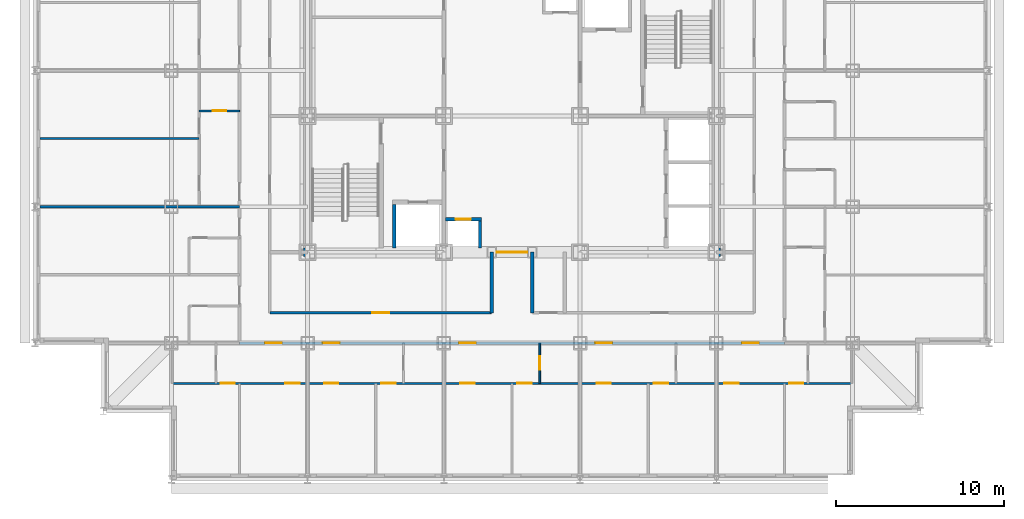
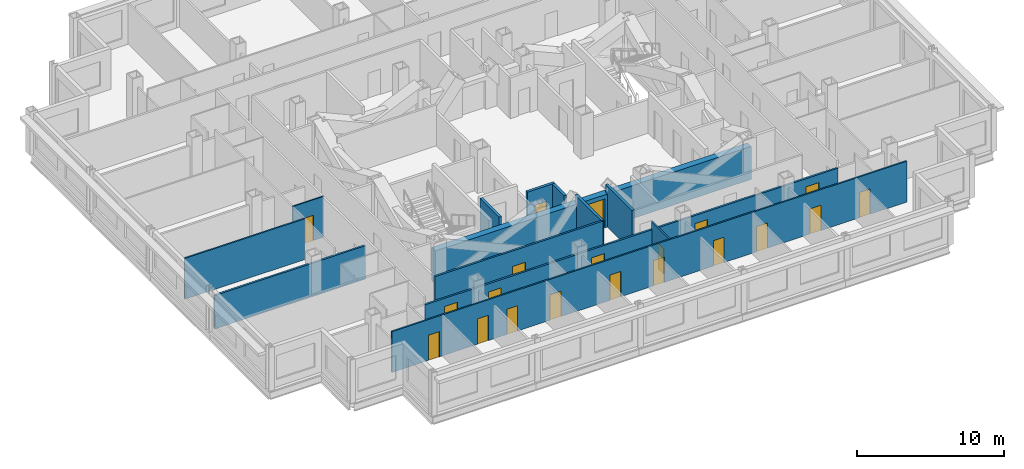
# One storey, part 5 of 12: 20 doors, 13 walls, 20 openings.
"""IFC4 building model written with IfcOpenShell, lengths in metres."""

from ifc_helpers import new_model, si_unit, direction, frame, frame_2d, origin, place, context, subcontext, project, spatial, rectangle, extrude, material, layer, layer_set, type_object, element, fill, save


model = new_model("IFC4")

# Units and contexts
model_context = context("Model", 3, precision=1e-05, world=origin(), true_north=direction((0.0, 1.0)))
body_context = subcontext(model_context, "Body", "Model", "MODEL_VIEW")
ifc_project = project(units=[si_unit("LENGTHUNIT", "METRE"), si_unit("AREAUNIT", "SQUARE_METRE"), si_unit("VOLUMEUNIT", "CUBIC_METRE"), si_unit("PLANEANGLEUNIT", "RADIAN"), si_unit("MASSUNIT", "GRAM", prefix="KILO")], contexts=[model_context])

# Site, building, storey
site_placement = place(None, origin())
site = spatial("IfcSite", under=ifc_project, at=site_placement, CompositionType="ELEMENT")
building_placement = place(site_placement, origin())
building = spatial("IfcBuilding", under=site, at=building_placement, Name="Kopane Lantern Tower", CompositionType="ELEMENT")
storey_placement = place(building_placement, frame((0.0, 0.0, 181.199951171875)))
storey = spatial("IfcBuildingStorey", under=building, at=storey_placement, Name="L46", CompositionType="ELEMENT", Elevation=181.199951171875)

# Wall
ifc_material_1 = material(Name="Gypsum board on steel studs", Category="steel")
ifc_layer_1 = layer(ifc_material_1, 0.1201171875)
ifc_layer_set_1 = layer_set([ifc_layer_1], Name="APARTMENT INTERNAL WALL 120")
wall_type_1 = type_object("IfcWallType", Name="APARTMENT INTERNAL WALL 120", PredefinedType="PARTITIONING", material=ifc_layer_set_1)
wall_1_placement = place(storey_placement, frame((9.75, 31.050048828125, 0.0), z_axis=(0.0, 0.0, 1.0), x_axis=(-1.0, 0.0, 0.0)))
element("IfcWall", 1, at=wall_1_placement, inside=storey, type_object=wall_type_1, Name="Apartment Internal Wall 120 L46", PredefinedType="PARTITIONING", context=body_context, shape_type="SweptSolid", body=[
    extrude(rectangle(XDim=9.449951171875, YDim=0.1201171875, at=frame_2d((4.72509765625, 0.0))), origin(), (0.0, 0.0, 1.0), 3.39013671875),
])

# Wall, openings, doors
wall_2_placement = place(storey_placement, frame((8.14990234375, 16.5, 0.0), z_axis=(0.0, 0.0, 1.0), x_axis=(1.0, 0.0, 0.0)))
wall_2 = element("IfcWall", 2, at=wall_2_placement, inside=storey, type_object=wall_type_1, Name="Apartment Internal Wall 120 L46", PredefinedType="PARTITIONING", context=body_context, shape_type="SweptSolid", body=[
    extrude(rectangle(XDim=40.400146484375, YDim=0.1201171875, at=frame_2d((20.2001953125, 0.0))), origin(), (0.0, 0.0, 1.0), 3.39013671875),
])
opening_1_placement = place(wall_2_placement, frame((9.02490234375, 0.0, 0.0)))
opening_1 = element("IfcOpeningElement", 3, at=opening_1_placement, cuts=wall_2, Name="Opening L46-014", PredefinedType="OPENING", context=body_context, shape_type="SweptSolid", body=[
    extrude(rectangle(XDim=0.85009765625, YDim=2.10009765625, at=frame_2d((0.425048828125, 1.050048828125))), frame((0.0, 0.070068359375, 0.0), z_axis=(0.0, -1.0, 0.0), x_axis=(1.0, 0.0, 0.0)), (0.0, 0.0, 1.0), 0.14013671875),
])
opening_2_placement = place(wall_2_placement, frame((12.425048828125, 0.0, 0.0)))
opening_2 = element("IfcOpeningElement", 4, at=opening_2_placement, cuts=wall_2, Name="Opening L46-015", PredefinedType="OPENING", context=body_context, shape_type="SweptSolid", body=[
    extrude(rectangle(XDim=0.85009765625, YDim=2.10009765625, at=frame_2d((0.425048828125, 1.050048828125))), frame((0.0, 0.070068359375, 0.0), z_axis=(0.0, -1.0, 0.0), x_axis=(1.0, 0.0, 0.0)), (0.0, 0.0, 1.0), 0.14013671875),
])
opening_3_placement = place(wall_2_placement, frame((17.125, 0.0, 0.0)))
opening_3 = element("IfcOpeningElement", 5, at=opening_3_placement, cuts=wall_2, Name="Opening L46-018", PredefinedType="OPENING", context=body_context, shape_type="SweptSolid", body=[
    extrude(rectangle(XDim=0.85009765625, YDim=2.10009765625, at=frame_2d((0.425048828125, 1.050048828125))), frame((0.0, 0.070068359375, 0.0), z_axis=(0.0, -1.0, 0.0), x_axis=(1.0, 0.0, 0.0)), (0.0, 0.0, 1.0), 0.14013671875),
])
opening_4_placement = place(wall_2_placement, frame((20.52490234375, 0.0, 0.0)))
opening_4 = element("IfcOpeningElement", 6, at=opening_4_placement, cuts=wall_2, Name="Opening L46-019", PredefinedType="OPENING", context=body_context, shape_type="SweptSolid", body=[
    extrude(rectangle(XDim=0.85009765625, YDim=2.10009765625, at=frame_2d((0.425048828125, 1.050048828125))), frame((0.0, 0.070068359375, 0.0), z_axis=(0.0, -1.0, 0.0), x_axis=(1.0, 0.0, 0.0)), (0.0, 0.0, 1.0), 0.14013671875),
])
opening_5_placement = place(wall_2_placement, frame((25.22509765625, 0.0, 0.0)))
opening_5 = element("IfcOpeningElement", 7, at=opening_5_placement, cuts=wall_2, Name="Opening L46-022", PredefinedType="OPENING", context=body_context, shape_type="SweptSolid", body=[
    extrude(rectangle(XDim=0.85009765625, YDim=2.10009765625, at=frame_2d((0.425048828125, 1.050048828125))), frame((0.0, 0.070068359375, 0.0), z_axis=(0.0, -1.0, 0.0), x_axis=(1.0, 0.0, 0.0)), (0.0, 0.0, 1.0), 0.14013671875),
])
opening_6_placement = place(wall_2_placement, frame((28.625, 0.0, 0.0)))
opening_6 = element("IfcOpeningElement", 8, at=opening_6_placement, cuts=wall_2, Name="Opening L46-023", PredefinedType="OPENING", context=body_context, shape_type="SweptSolid", body=[
    extrude(rectangle(XDim=0.85009765625, YDim=2.10009765625, at=frame_2d((0.425048828125, 1.050048828125))), frame((0.0, 0.070068359375, 0.0), z_axis=(0.0, -1.0, 0.0), x_axis=(1.0, 0.0, 0.0)), (0.0, 0.0, 1.0), 0.14013671875),
])
opening_7_placement = place(wall_2_placement, frame((6.72509765625, 0.0, 0.0)))
opening_7 = element("IfcOpeningElement", 9, at=opening_7_placement, cuts=wall_2, Name="Opening L46-061", PredefinedType="OPENING", context=body_context, shape_type="SweptSolid", body=[
    extrude(rectangle(XDim=0.85009765625, YDim=2.10009765625, at=frame_2d((0.425048828125, 1.050048828125))), frame((0.0, 0.070068359375, 0.0), z_axis=(0.0, -1.0, 0.0), x_axis=(1.0, 0.0, 0.0)), (0.0, 0.0, 1.0), 0.14013671875),
])
opening_8_placement = place(wall_2_placement, frame((2.875, 0.0, 0.0)))
opening_8 = element("IfcOpeningElement", 10, at=opening_8_placement, cuts=wall_2, Name="Opening L46-063", PredefinedType="OPENING", context=body_context, shape_type="SweptSolid", body=[
    extrude(rectangle(XDim=0.85009765625, YDim=2.10009765625, at=frame_2d((0.425048828125, 1.050048828125))), frame((0.0, 0.070068359375, 0.0), z_axis=(0.0, -1.0, 0.0), x_axis=(1.0, 0.0, 0.0)), (0.0, 0.0, 1.0), 0.14013671875),
])
opening_9_placement = place(wall_2_placement, frame((32.824951171875, 0.0, 0.0)))
opening_9 = element("IfcOpeningElement", 11, at=opening_9_placement, cuts=wall_2, Name="Opening L46-065", PredefinedType="OPENING", context=body_context, shape_type="SweptSolid", body=[
    extrude(rectangle(XDim=0.85009765625, YDim=2.10009765625, at=frame_2d((0.425048828125, 1.050048828125))), frame((0.0, 0.070068359375, 0.0), z_axis=(0.0, -1.0, 0.0), x_axis=(1.0, 0.0, 0.0)), (0.0, 0.0, 1.0), 0.14013671875),
])
opening_10_placement = place(wall_2_placement, frame((36.675048828125, 0.0, 0.0)))
opening_10 = element("IfcOpeningElement", 12, at=opening_10_placement, cuts=wall_2, Name="Opening L46-067", PredefinedType="OPENING", context=body_context, shape_type="SweptSolid", body=[
    extrude(rectangle(XDim=0.85009765625, YDim=2.10009765625, at=frame_2d((0.425048828125, 1.050048828125))), frame((0.0, 0.070068359375, 0.0), z_axis=(0.0, -1.0, 0.0), x_axis=(1.0, 0.0, 0.0)), (0.0, 0.0, 1.0), 0.14013671875),
])
ifc_material_2 = material(Name="Timber door set", Category="wood")
door_type_1 = type_object("IfcDoorType", Name="DOOR D4 850x2100", OperationType="SINGLE_SWING_LEFT", PredefinedType="DOOR", material=ifc_material_2)
door_1_placement = place(opening_1_placement, origin())
door_1 = element("IfcDoor", 13, at=door_1_placement, inside=storey, type_object=door_type_1, Name="Door L46-014", OperationType="SINGLE_SWING_LEFT", OverallHeight=2.10009765625, OverallWidth=0.85009765625, PredefinedType="DOOR", context=body_context, shape_type="SweptSolid", body=[
    extrude(rectangle(XDim=0.85009765625, YDim=2.10009765625, at=frame_2d((0.425048828125, 1.050048828125))), frame((0.0, 0.02490234375, 0.0), z_axis=(0.0, -1.0, 0.0), x_axis=(1.0, 0.0, 0.0)), (0.0, 0.0, 1.0), 0.050048828125),
])
fill(opening_1, door_1)
door_2_placement = place(opening_2_placement, origin())
door_2 = element("IfcDoor", 14, at=door_2_placement, inside=storey, type_object=door_type_1, Name="Door L46-015", OperationType="SINGLE_SWING_RIGHT", OverallHeight=2.10009765625, OverallWidth=0.85009765625, PredefinedType="DOOR", context=body_context, shape_type="SweptSolid", body=[
    extrude(rectangle(XDim=0.85009765625, YDim=2.10009765625, at=frame_2d((0.425048828125, 1.050048828125))), frame((0.0, 0.02490234375, 0.0), z_axis=(0.0, -1.0, 0.0), x_axis=(1.0, 0.0, 0.0)), (0.0, 0.0, 1.0), 0.050048828125),
])
fill(opening_2, door_2)
door_3_placement = place(opening_3_placement, origin())
door_3 = element("IfcDoor", 15, at=door_3_placement, inside=storey, type_object=door_type_1, Name="Door L46-018", OperationType="SINGLE_SWING_LEFT", OverallHeight=2.10009765625, OverallWidth=0.85009765625, PredefinedType="DOOR", context=body_context, shape_type="SweptSolid", body=[
    extrude(rectangle(XDim=0.85009765625, YDim=2.10009765625, at=frame_2d((0.425048828125, 1.050048828125))), frame((0.0, 0.02490234375, 0.0), z_axis=(0.0, -1.0, 0.0), x_axis=(1.0, 0.0, 0.0)), (0.0, 0.0, 1.0), 0.050048828125),
])
fill(opening_3, door_3)
door_4_placement = place(opening_4_placement, origin())
door_4 = element("IfcDoor", 16, at=door_4_placement, inside=storey, type_object=door_type_1, Name="Door L46-019", OperationType="SINGLE_SWING_RIGHT", OverallHeight=2.10009765625, OverallWidth=0.85009765625, PredefinedType="DOOR", context=body_context, shape_type="SweptSolid", body=[
    extrude(rectangle(XDim=0.85009765625, YDim=2.10009765625, at=frame_2d((0.425048828125, 1.050048828125))), frame((0.0, 0.02490234375, 0.0), z_axis=(0.0, -1.0, 0.0), x_axis=(1.0, 0.0, 0.0)), (0.0, 0.0, 1.0), 0.050048828125),
])
fill(opening_4, door_4)
door_5_placement = place(opening_5_placement, origin())
door_5 = element("IfcDoor", 17, at=door_5_placement, inside=storey, type_object=door_type_1, Name="Door L46-022", OperationType="SINGLE_SWING_LEFT", OverallHeight=2.10009765625, OverallWidth=0.85009765625, PredefinedType="DOOR", context=body_context, shape_type="SweptSolid", body=[
    extrude(rectangle(XDim=0.85009765625, YDim=2.10009765625, at=frame_2d((0.425048828125, 1.050048828125))), frame((0.0, 0.02490234375, 0.0), z_axis=(0.0, -1.0, 0.0), x_axis=(1.0, 0.0, 0.0)), (0.0, 0.0, 1.0), 0.050048828125),
])
fill(opening_5, door_5)
door_6_placement = place(opening_6_placement, origin())
door_6 = element("IfcDoor", 18, at=door_6_placement, inside=storey, type_object=door_type_1, Name="Door L46-023", OperationType="SINGLE_SWING_RIGHT", OverallHeight=2.10009765625, OverallWidth=0.85009765625, PredefinedType="DOOR", context=body_context, shape_type="SweptSolid", body=[
    extrude(rectangle(XDim=0.85009765625, YDim=2.10009765625, at=frame_2d((0.425048828125, 1.050048828125))), frame((0.0, 0.02490234375, 0.0), z_axis=(0.0, -1.0, 0.0), x_axis=(1.0, 0.0, 0.0)), (0.0, 0.0, 1.0), 0.050048828125),
])
fill(opening_6, door_6)
door_7_placement = place(opening_7_placement, origin())
door_7 = element("IfcDoor", 19, at=door_7_placement, inside=storey, type_object=door_type_1, Name="Door L46-061", OperationType="SINGLE_SWING_RIGHT", OverallHeight=2.10009765625, OverallWidth=0.85009765625, PredefinedType="DOOR", context=body_context, shape_type="SweptSolid", body=[
    extrude(rectangle(XDim=0.85009765625, YDim=2.10009765625, at=frame_2d((0.425048828125, 1.050048828125))), frame((0.0, 0.02490234375, 0.0), z_axis=(0.0, -1.0, 0.0), x_axis=(1.0, 0.0, 0.0)), (0.0, 0.0, 1.0), 0.050048828125),
])
fill(opening_7, door_7)
door_8_placement = place(opening_8_placement, origin())
door_8 = element("IfcDoor", 20, at=door_8_placement, inside=storey, type_object=door_type_1, Name="Door L46-063", OperationType="SINGLE_SWING_LEFT", OverallHeight=2.10009765625, OverallWidth=0.85009765625, PredefinedType="DOOR", context=body_context, shape_type="SweptSolid", body=[
    extrude(rectangle(XDim=0.85009765625, YDim=2.10009765625, at=frame_2d((0.425048828125, 1.050048828125))), frame((0.0, 0.02490234375, 0.0), z_axis=(0.0, -1.0, 0.0), x_axis=(1.0, 0.0, 0.0)), (0.0, 0.0, 1.0), 0.050048828125),
])
fill(opening_8, door_8)
door_9_placement = place(opening_9_placement, origin())
door_9 = element("IfcDoor", 21, at=door_9_placement, inside=storey, type_object=door_type_1, Name="Door L46-065", OperationType="SINGLE_SWING_LEFT", OverallHeight=2.10009765625, OverallWidth=0.85009765625, PredefinedType="DOOR", context=body_context, shape_type="SweptSolid", body=[
    extrude(rectangle(XDim=0.85009765625, YDim=2.10009765625, at=frame_2d((0.425048828125, 1.050048828125))), frame((0.0, 0.02490234375, 0.0), z_axis=(0.0, -1.0, 0.0), x_axis=(1.0, 0.0, 0.0)), (0.0, 0.0, 1.0), 0.050048828125),
])
fill(opening_9, door_9)
door_10_placement = place(opening_10_placement, origin())
door_10 = element("IfcDoor", 22, at=door_10_placement, inside=storey, type_object=door_type_1, Name="Door L46-067", OperationType="SINGLE_SWING_RIGHT", OverallHeight=2.10009765625, OverallWidth=0.85009765625, PredefinedType="DOOR", context=body_context, shape_type="SweptSolid", body=[
    extrude(rectangle(XDim=0.85009765625, YDim=2.10009765625, at=frame_2d((0.425048828125, 1.050048828125))), frame((0.0, 0.02490234375, 0.0), z_axis=(0.0, -1.0, 0.0), x_axis=(1.0, 0.0, 0.0)), (0.0, 0.0, 1.0), 0.050048828125),
])
fill(opening_10, door_10)

# Wall, opening, door
ifc_material_3 = material(Name="Moisture-resistant board on steel studs", Category="steel")
ifc_layer_2 = layer(ifc_material_3, 0.10009765625)
ifc_layer_set_2 = layer_set([ifc_layer_2], Name="BATHROOM WALL 100")
wall_type_2 = type_object("IfcWallType", Name="BATHROOM WALL 100", PredefinedType="PARTITIONING", material=ifc_layer_set_2)
wall_3_placement = place(storey_placement, frame((30.0, 18.89990234375, 0.0), z_axis=(0.0, 0.0, 1.0), x_axis=(0.0, -1.0, 0.0)))
wall_3 = element("IfcWall", 23, at=wall_3_placement, inside=storey, type_object=wall_type_2, Name="Bathroom Wall 100 L46", PredefinedType="PARTITIONING", context=body_context, shape_type="SweptSolid", body=[
    extrude(rectangle(XDim=2.39990234375, YDim=0.10009765625, at=frame_2d((1.199951171875, 0.0))), origin(), (0.0, 0.0, 1.0), 3.39013671875),
])
opening_11_placement = place(wall_3_placement, frame((0.800048828125, 0.0, 0.0)))
opening_11 = element("IfcOpeningElement", 24, at=opening_11_placement, cuts=wall_3, Name="Opening L46-016", PredefinedType="OPENING", context=body_context, shape_type="SweptSolid", body=[
    extrude(rectangle(XDim=0.800048828125, YDim=2.10009765625, at=frame_2d((0.39990234375, 1.050048828125))), frame((0.0, 0.06005859375, 0.0), z_axis=(0.0, -1.0, 0.0), x_axis=(1.0, 0.0, 0.0)), (0.0, 0.0, 1.0), 0.1201171875),
])
ifc_material_4 = material(Name="Timber door set", Category="wood")
door_type_2 = type_object("IfcDoorType", Name="DOOR D2 800x2100", OperationType="SINGLE_SWING_LEFT", PredefinedType="DOOR", material=ifc_material_4)
door_11_placement = place(opening_11_placement, origin())
door_11 = element("IfcDoor", 25, at=door_11_placement, inside=storey, type_object=door_type_2, Name="Door L46-016", OperationType="SINGLE_SWING_LEFT", OverallHeight=2.10009765625, OverallWidth=0.800048828125, PredefinedType="DOOR", context=body_context, shape_type="SweptSolid", body=[
    extrude(rectangle(XDim=0.800048828125, YDim=2.10009765625, at=frame_2d((0.39990234375, 1.050048828125))), frame((0.0, 0.02490234375, 0.0), z_axis=(0.0, -1.0, 0.0), x_axis=(1.0, 0.0, 0.0)), (0.0, 0.0, 1.0), 0.050048828125),
])
fill(opening_11, door_11)

wall_4_placement = place(storey_placement, frame((12.14990234375, 32.699951171875, 0.0), z_axis=(0.0, 0.0, 1.0), x_axis=(-1.0, 0.0, 0.0)))
wall_4 = element("IfcWall", 26, at=wall_4_placement, inside=storey, type_object=wall_type_2, Name="Bathroom Wall 100 L46", PredefinedType="PARTITIONING", context=body_context, shape_type="SweptSolid", body=[
    extrude(rectangle(XDim=2.39990234375, YDim=0.10009765625, at=frame_2d((1.199951171875, 0.0))), origin(), (0.0, 0.0, 1.0), 3.39013671875),
])
opening_12_placement = place(wall_4_placement, frame((0.800048828125, 0.0, 0.0)))
opening_12 = element("IfcOpeningElement", 27, at=opening_12_placement, cuts=wall_4, Name="Opening L46-036", PredefinedType="OPENING", context=body_context, shape_type="SweptSolid", body=[
    extrude(rectangle(XDim=0.800048828125, YDim=2.10009765625, at=frame_2d((0.39990234375, 1.050048828125))), frame((0.0, 0.06005859375, 0.0), z_axis=(0.0, -1.0, 0.0), x_axis=(1.0, 0.0, 0.0)), (0.0, 0.0, 1.0), 0.1201171875),
])
door_12_placement = place(opening_12_placement, origin())
door_12 = element("IfcDoor", 28, at=door_12_placement, inside=storey, type_object=door_type_2, Name="Door L46-036", OperationType="SINGLE_SWING_RIGHT", OverallHeight=2.10009765625, OverallWidth=0.800048828125, PredefinedType="DOOR", context=body_context, shape_type="SweptSolid", body=[
    extrude(rectangle(XDim=0.800048828125, YDim=2.10009765625, at=frame_2d((0.39990234375, 1.050048828125))), frame((0.0, 0.02490234375, 0.0), z_axis=(0.0, -1.0, 0.0), x_axis=(1.0, 0.0, 0.0)), (0.0, 0.0, 1.0), 0.050048828125),
])
fill(opening_12, door_12)

ifc_material_5 = material(Name="Gypsum shaft wall EI 120", Category="gypsum")
ifc_layer_3 = layer(ifc_material_5, 0.5)
ifc_layer_set_3 = layer_set([ifc_layer_3], Name="CORE PERIMETER WALL 500 EI 120")
wall_type_3 = type_object("IfcWallType", Name="CORE PERIMETER WALL 500 EI 120", PredefinedType="SOLIDWALL", material=ifc_layer_set_3)
wall_5_placement = place(storey_placement, frame((15.949951171875, 24.300048828125, 0.0), z_axis=(0.0, 0.0, 1.0), x_axis=(1.0, 0.0, 0.0)))
wall_5 = element("IfcWall", 29, at=wall_5_placement, inside=storey, type_object=wall_type_3, Name="Core shaft wall L46 PS", PredefinedType="SOLIDWALL", context=body_context, shape_type="SweptSolid", body=[
    extrude(rectangle(XDim=24.800048828125, YDim=0.5, at=frame_2d((12.39990234375, 0.0))), origin(), (0.0, 0.0, 1.0), 2.739990234375),
])
opening_13_placement = place(wall_5_placement, frame((11.5, 0.0, 0.0)))
opening_13 = element("IfcOpeningElement", 30, at=opening_13_placement, cuts=wall_5, Name="Opening 46.CE-S", PredefinedType="OPENING", context=body_context, shape_type="SweptSolid", body=[
    extrude(rectangle(XDim=1.800048828125, YDim=2.39990234375, at=frame_2d((0.89990234375, 1.199951171875))), frame((0.0, 0.260009765625, 0.0), z_axis=(0.0, -1.0, 0.0), x_axis=(1.0, 0.0, 0.0)), (0.0, 0.0, 1.0), 0.52001953125),
])
ifc_material_6 = material(Name="Steel door set", Category="steel")
door_type_3 = type_object("IfcDoorType", Name="CORE ENTRY DOOR 1800x2400 FD60S", OperationType="DOUBLE_DOOR_SINGLE_SWING", PredefinedType="DOOR", material=ifc_material_6)
door_13_placement = place(opening_13_placement, origin())
door_13 = element("IfcDoor", 31, at=door_13_placement, inside=storey, type_object=door_type_3, Name="Core entry door L46 south", OperationType="DOUBLE_DOOR_SINGLE_SWING", OverallHeight=2.39990234375, OverallWidth=1.800048828125, PredefinedType="DOOR", context=body_context, shape_type="SweptSolid", body=[
    extrude(rectangle(XDim=1.800048828125, YDim=2.39990234375, at=frame_2d((0.89990234375, 1.199951171875))), frame((0.0, 0.02490234375, 0.0), z_axis=(0.0, -1.0, 0.0), x_axis=(1.0, 0.0, 0.0)), (0.0, 0.0, 1.0), 0.050048828125),
])
fill(opening_13, door_13)

# Wall, openings, doors
ifc_material_7 = material(Name="Gypsum board on steel studs", Category="steel")
ifc_layer_4 = layer(ifc_material_7, 0.14990234375)
ifc_layer_set_4 = layer_set([ifc_layer_4], Name="CORRIDOR WALL 150 EI 60")
wall_type_4 = type_object("IfcWallType", Name="CORRIDOR WALL 150 EI 60", PredefinedType="PARTITIONING", material=ifc_layer_set_4)
wall_6_placement = place(storey_placement, frame((12.14990234375, 18.89990234375, 0.0), z_axis=(0.0, 0.0, 1.0), x_axis=(1.0, 0.0, 0.0)))
wall_6 = element("IfcWall", 32, at=wall_6_placement, inside=storey, type_object=wall_type_4, Name="Corridor Wall 150 Ei 60 L46", PredefinedType="PARTITIONING", context=body_context, shape_type="SweptSolid", body=[
    extrude(rectangle(XDim=32.400146484375, YDim=0.14990234375, at=frame_2d((16.2001953125, 0.0))), origin(), (0.0, 0.0, 1.0), 2.77783203125),
])
opening_14_placement = place(wall_6_placement, frame((4.949951171875, 0.0, 0.0)))
opening_14 = element("IfcOpeningElement", 33, at=opening_14_placement, cuts=wall_6, Name="Opening L46-013", PredefinedType="OPENING", context=body_context, shape_type="SweptSolid", body=[
    extrude(rectangle(XDim=1.0, YDim=2.10009765625, at=frame_2d((0.5, 1.050048828125))), frame((0.0, 0.0849609375, 0.0), z_axis=(0.0, -1.0, 0.0), x_axis=(1.0, 0.0, 0.0)), (0.0, 0.0, 1.0), 0.169921875),
])
opening_15_placement = place(wall_6_placement, frame((13.050048828125, 0.0, 0.0)))
opening_15 = element("IfcOpeningElement", 34, at=opening_15_placement, cuts=wall_6, Name="Opening L46-017", PredefinedType="OPENING", context=body_context, shape_type="SweptSolid", body=[
    extrude(rectangle(XDim=1.0, YDim=2.10009765625, at=frame_2d((0.5, 1.050048828125))), frame((0.0, 0.0849609375, 0.0), z_axis=(0.0, -1.0, 0.0), x_axis=(1.0, 0.0, 0.0)), (0.0, 0.0, 1.0), 0.169921875),
])
opening_16_placement = place(wall_6_placement, frame((21.14990234375, 0.0, 0.0)))
opening_16 = element("IfcOpeningElement", 35, at=opening_16_placement, cuts=wall_6, Name="Opening L46-021", PredefinedType="OPENING", context=body_context, shape_type="SweptSolid", body=[
    extrude(rectangle(XDim=1.0, YDim=2.10009765625, at=frame_2d((0.5, 1.050048828125))), frame((0.0, 0.0849609375, 0.0), z_axis=(0.0, -1.0, 0.0), x_axis=(1.0, 0.0, 0.0)), (0.0, 0.0, 1.0), 0.169921875),
])
opening_17_placement = place(wall_6_placement, frame((1.52490234375, 0.0, 0.0)))
opening_17 = element("IfcOpeningElement", 36, at=opening_17_placement, cuts=wall_6, Name="Opening L46-060", PredefinedType="OPENING", context=body_context, shape_type="SweptSolid", body=[
    extrude(rectangle(XDim=1.0, YDim=2.10009765625, at=frame_2d((0.5, 1.050048828125))), frame((0.0, 0.0849609375, 0.0), z_axis=(0.0, -1.0, 0.0), x_axis=(1.0, 0.0, 0.0)), (0.0, 0.0, 1.0), 0.169921875),
])
opening_18_placement = place(wall_6_placement, frame((29.875, 0.0, 0.0)))
opening_18 = element("IfcOpeningElement", 37, at=opening_18_placement, cuts=wall_6, Name="Opening L46-064", PredefinedType="OPENING", context=body_context, shape_type="SweptSolid", body=[
    extrude(rectangle(XDim=1.0, YDim=2.10009765625, at=frame_2d((0.5, 1.050048828125))), frame((0.0, 0.0849609375, 0.0), z_axis=(0.0, -1.0, 0.0), x_axis=(1.0, 0.0, 0.0)), (0.0, 0.0, 1.0), 0.169921875),
])
ifc_material_8 = material(Name="Steel door set", Category="steel")
door_type_4 = type_object("IfcDoorType", Name="DOOR D3 1000x2100 FD30S", OperationType="SINGLE_SWING_LEFT", PredefinedType="DOOR", material=ifc_material_8)
door_14_placement = place(opening_14_placement, origin())
door_14 = element("IfcDoor", 38, at=door_14_placement, inside=storey, type_object=door_type_4, Name="Door L46-013", OperationType="SINGLE_SWING_RIGHT", OverallHeight=2.10009765625, OverallWidth=1.0, PredefinedType="DOOR", context=body_context, shape_type="SweptSolid", body=[
    extrude(rectangle(XDim=1.0, YDim=2.10009765625, at=frame_2d((0.5, 1.050048828125))), frame((0.0, 0.02490234375, 0.0), z_axis=(0.0, -1.0, 0.0), x_axis=(1.0, 0.0, 0.0)), (0.0, 0.0, 1.0), 0.050048828125),
])
fill(opening_14, door_14)
door_15_placement = place(opening_15_placement, origin())
door_15 = element("IfcDoor", 39, at=door_15_placement, inside=storey, type_object=door_type_4, Name="Door L46-017", OperationType="SINGLE_SWING_RIGHT", OverallHeight=2.10009765625, OverallWidth=1.0, PredefinedType="DOOR", context=body_context, shape_type="SweptSolid", body=[
    extrude(rectangle(XDim=1.0, YDim=2.10009765625, at=frame_2d((0.5, 1.050048828125))), frame((0.0, 0.02490234375, 0.0), z_axis=(0.0, -1.0, 0.0), x_axis=(1.0, 0.0, 0.0)), (0.0, 0.0, 1.0), 0.050048828125),
])
fill(opening_15, door_15)
door_16_placement = place(opening_16_placement, origin())
door_16 = element("IfcDoor", 40, at=door_16_placement, inside=storey, type_object=door_type_4, Name="Door L46-021", OperationType="SINGLE_SWING_RIGHT", OverallHeight=2.10009765625, OverallWidth=1.0, PredefinedType="DOOR", context=body_context, shape_type="SweptSolid", body=[
    extrude(rectangle(XDim=1.0, YDim=2.10009765625, at=frame_2d((0.5, 1.050048828125))), frame((0.0, 0.02490234375, 0.0), z_axis=(0.0, -1.0, 0.0), x_axis=(1.0, 0.0, 0.0)), (0.0, 0.0, 1.0), 0.050048828125),
])
fill(opening_16, door_16)
door_17_placement = place(opening_17_placement, origin())
door_17 = element("IfcDoor", 41, at=door_17_placement, inside=storey, type_object=door_type_4, Name="Door L46-060", OperationType="SINGLE_SWING_LEFT", OverallHeight=2.10009765625, OverallWidth=1.0, PredefinedType="DOOR", context=body_context, shape_type="SweptSolid", body=[
    extrude(rectangle(XDim=1.0, YDim=2.10009765625, at=frame_2d((0.5, 1.050048828125))), frame((0.0, 0.02490234375, 0.0), z_axis=(0.0, -1.0, 0.0), x_axis=(1.0, 0.0, 0.0)), (0.0, 0.0, 1.0), 0.050048828125),
])
fill(opening_17, door_17)
door_18_placement = place(opening_18_placement, origin())
door_18 = element("IfcDoor", 42, at=door_18_placement, inside=storey, type_object=door_type_4, Name="Door L46-064", OperationType="SINGLE_SWING_RIGHT", OverallHeight=2.10009765625, OverallWidth=1.0, PredefinedType="DOOR", context=body_context, shape_type="SweptSolid", body=[
    extrude(rectangle(XDim=1.0, YDim=2.10009765625, at=frame_2d((0.5, 1.050048828125))), frame((0.0, 0.02490234375, 0.0), z_axis=(0.0, -1.0, 0.0), x_axis=(1.0, 0.0, 0.0)), (0.0, 0.0, 1.0), 0.050048828125),
])
fill(opening_18, door_18)

# Wall, opening, door
wall_7_placement = place(storey_placement, frame((13.949951171875, 20.699951171875, 0.0), z_axis=(0.0, 0.0, 1.0), x_axis=(1.0, 0.0, 0.0)))
wall_7 = element("IfcWall", 43, at=wall_7_placement, inside=storey, type_object=wall_type_4, Name="Corridor Wall 150 Ei 60 L46", PredefinedType="PARTITIONING", context=body_context, shape_type="SweptSolid", body=[
    extrude(rectangle(XDim=13.18994140625, YDim=0.14990234375, at=frame_2d((6.594970703125, 0.0))), origin(), (0.0, 0.0, 1.0), 3.39013671875),
])
opening_19_placement = place(wall_7_placement, frame((6.10009765625, 0.0, 0.0)))
opening_19 = element("IfcOpeningElement", 44, at=opening_19_placement, cuts=wall_7, Name="Opening L46-005", PredefinedType="OPENING", context=body_context, shape_type="SweptSolid", body=[
    extrude(rectangle(XDim=1.0, YDim=2.10009765625, at=frame_2d((0.5, 1.050048828125))), frame((0.0, 0.0849609375, 0.0), z_axis=(0.0, -1.0, 0.0), x_axis=(1.0, 0.0, 0.0)), (0.0, 0.0, 1.0), 0.169921875),
])
ifc_material_9 = material(Name="Steel door set", Category="steel")
door_type_5 = type_object("IfcDoorType", Name="DOOR D5 1000x2100 FD60", OperationType="SINGLE_SWING_LEFT", PredefinedType="DOOR", material=ifc_material_9)
door_19_placement = place(opening_19_placement, origin())
door_19 = element("IfcDoor", 45, at=door_19_placement, inside=storey, type_object=door_type_5, Name="Door L46-005", OperationType="SINGLE_SWING_LEFT", OverallHeight=2.10009765625, OverallWidth=1.0, PredefinedType="DOOR", context=body_context, shape_type="SweptSolid", body=[
    extrude(rectangle(XDim=1.0, YDim=2.10009765625, at=frame_2d((0.5, 1.050048828125))), frame((0.0, 0.02490234375, 0.0), z_axis=(0.0, -1.0, 0.0), x_axis=(1.0, 0.0, 0.0)), (0.0, 0.0, 1.0), 0.050048828125),
])
fill(opening_19, door_19)

# Walls
ifc_material_10 = material(Name="Gypsum board on steel studs", Category="steel")
ifc_layer_5 = layer(ifc_material_10, 0.14990234375)
ifc_layer_set_5 = layer_set([ifc_layer_5], Name="DEMISING WALL 150 EI 60")
wall_type_5 = type_object("IfcWallType", Name="DEMISING WALL 150 EI 60", PredefinedType="PARTITIONING", material=ifc_layer_set_5)
wall_8_placement = place(storey_placement, frame((12.14990234375, 27.0, 0.0), z_axis=(0.0, 0.0, 1.0), x_axis=(-1.0, 0.0, 0.0)))
element("IfcWall", 46, at=wall_8_placement, inside=storey, type_object=wall_type_5, Name="Demising Wall 150 Ei 60 L46", PredefinedType="PARTITIONING", context=body_context, shape_type="SweptSolid", body=[
    extrude(rectangle(XDim=11.849853515625, YDim=0.14990234375, at=frame_2d((5.9248046875, 0.0))), origin(), (0.0, 0.0, 1.0), 2.77783203125),
])
ifc_material_11 = material(Name="Concrete masonry", Category="masonry")
ifc_layer_6 = layer(ifc_material_11, 0.199951171875)
ifc_layer_set_6 = layer_set([ifc_layer_6], Name="PLANT ROOM WALL 200 EI 120")
wall_type_6 = type_object("IfcWallType", Name="PLANT ROOM WALL 200 EI 120", PredefinedType="SOLIDWALL", material=ifc_layer_set_6)
for number, where, z_axis, x_axis, name in (
    (47, (27.14990234375, 20.699951171875, 0.0), (0.0, 0.0, 1.0), (0.0, 1.0, 0.0), "Plant Room Wall 200 Ei 120 L46"),
    (48, (29.550048828125, 20.699951171875, 0.0), (0.0, 0.0, 1.0), (0.0, 1.0, 0.0), "Plant Room Wall 200 Ei 120 L46"),
):
    element("IfcWall", number, at=place(storey_placement, frame(where, z_axis=z_axis, x_axis=x_axis)), inside=storey, type_object=wall_type_6, Name=name, PredefinedType="SOLIDWALL", context=body_context, shape_type="SweptSolid", body=[
        extrude(rectangle(XDim=3.60009765625, YDim=0.199951171875, at=frame_2d((1.800048828125, 0.0))), origin(), (0.0, 0.0, 1.0), 3.39013671875),
    ])
ifc_material_12 = material(Name="Gypsum shaft wall EI 120", Category="gypsum")
ifc_layer_7 = layer(ifc_material_12, 0.199951171875)
ifc_layer_set_7 = layer_set([ifc_layer_7], Name="SHAFT WALL 200 EI 120")
wall_type_7 = type_object("IfcWallType", Name="SHAFT WALL 200 EI 120", PredefinedType="SOLIDWALL", material=ifc_layer_set_7)
wall_9_placement = place(storey_placement, frame((21.35009765625, 24.550048828125, 0.0), z_axis=(0.0, 0.0, 1.0), x_axis=(0.0, 1.0, 0.0)))
element("IfcWall", 49, at=wall_9_placement, inside=storey, type_object=wall_type_7, Name="Core shaft wall L46 XLF1", PredefinedType="SOLIDWALL", context=body_context, shape_type="SweptSolid", body=[
    extrude(rectangle(XDim=2.599853515625, YDim=0.199951171875, at=frame_2d((1.2998046875, 0.0))), origin(), (0.0, 0.0, 1.0), 3.39013671875),
])
wall_10_placement = place(storey_placement, frame((26.449951171875, 24.550048828125, 0.0), z_axis=(0.0, 0.0, 1.0), x_axis=(0.0, 1.0, 0.0)))
element("IfcWall", 50, at=wall_10_placement, inside=storey, type_object=wall_type_7, Name="Core shaft wall L46 XRS1", PredefinedType="SOLIDWALL", context=body_context, shape_type="SweptSolid", body=[
    extrude(rectangle(XDim=1.599853515625, YDim=0.199951171875, at=frame_2d((0.7998046875, 0.0))), origin(), (0.0, 0.0, 1.0), 3.39013671875),
])

# Wall, opening, door
wall_11_placement = place(storey_placement, frame((24.39990234375, 26.25, 0.0), z_axis=(0.0, 0.0, 1.0), x_axis=(1.0, 0.0, 0.0)))
wall_11 = element("IfcWall", 51, at=wall_11_placement, inside=storey, type_object=wall_type_7, Name="Core shaft wall L46 YRS1", PredefinedType="SOLIDWALL", context=body_context, shape_type="SweptSolid", body=[
    extrude(rectangle(XDim=2.150146484375, YDim=0.199951171875, at=frame_2d((1.0751953125, 0.0))), origin(), (0.0, 0.0, 1.0), 3.39013671875),
])
opening_20_placement = place(wall_11_placement, frame((0.60009765625, 0.0, 0.0)))
opening_20 = element("IfcOpeningElement", 52, at=opening_20_placement, cuts=wall_11, Name="Opening 46.RS1", PredefinedType="OPENING", context=body_context, shape_type="SweptSolid", body=[
    extrude(rectangle(XDim=0.89990234375, YDim=2.10009765625, at=frame_2d((0.449951171875, 1.050048828125))), frame((0.0, 0.10986328125, 0.0), z_axis=(0.0, -1.0, 0.0), x_axis=(1.0, 0.0, 0.0)), (0.0, 0.0, 1.0), 0.219970703125),
])
ifc_material_13 = material(Name="Steel door set", Category="steel")
door_type_6 = type_object("IfcDoorType", Name="RISER ACCESS DOOR 900x2100 FD60", OperationType="SINGLE_SWING_LEFT", PredefinedType="DOOR", material=ifc_material_13)
door_20_placement = place(opening_20_placement, origin())
door_20 = element("IfcDoor", 53, at=door_20_placement, inside=storey, type_object=door_type_6, Name="Riser access door RS1 L46", OperationType="SINGLE_SWING_LEFT", OverallHeight=2.10009765625, OverallWidth=0.89990234375, PredefinedType="DOOR", context=body_context, shape_type="SweptSolid", body=[
    extrude(rectangle(XDim=0.89990234375, YDim=2.10009765625, at=frame_2d((0.449951171875, 1.050048828125))), frame((0.0, 0.02490234375, 0.0), z_axis=(0.0, -1.0, 0.0), x_axis=(1.0, 0.0, 0.0)), (0.0, 0.0, 1.0), 0.050048828125),
])
fill(opening_20, door_20)

save(model, "model.ifc")
